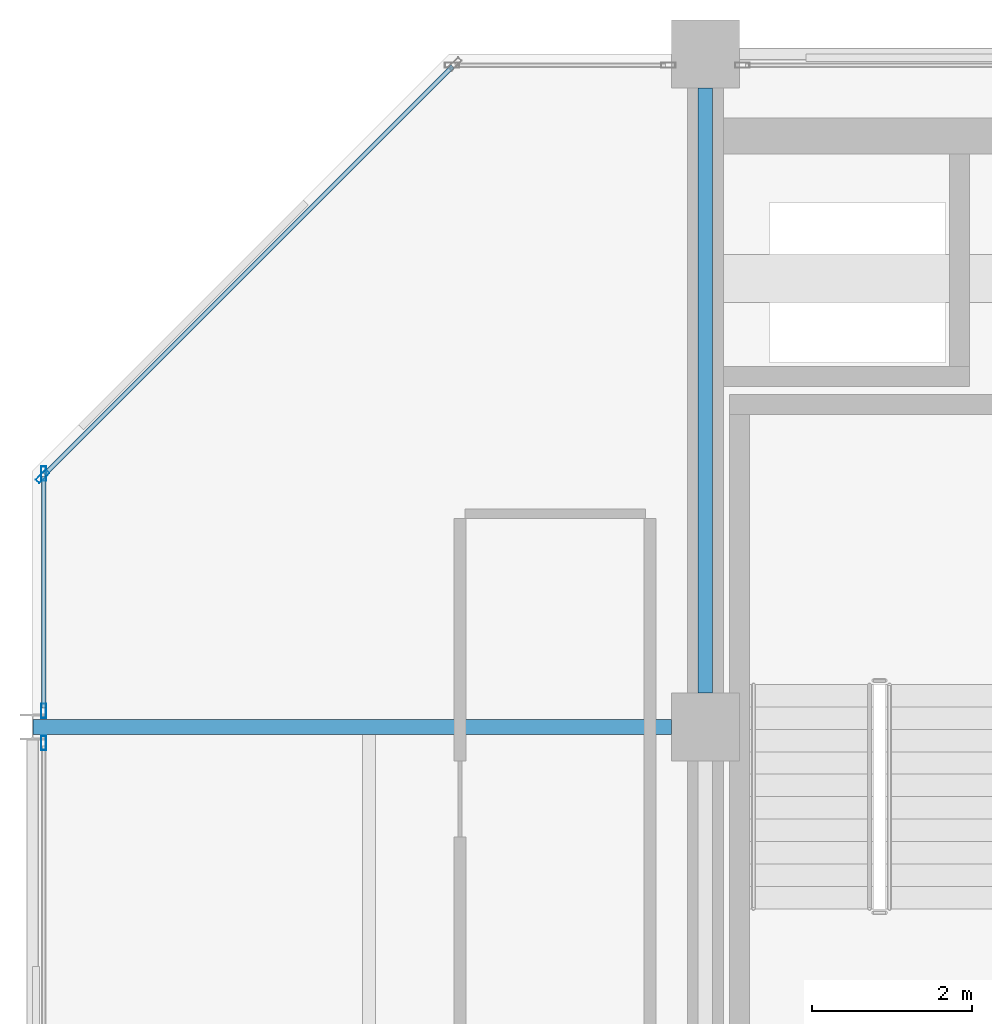
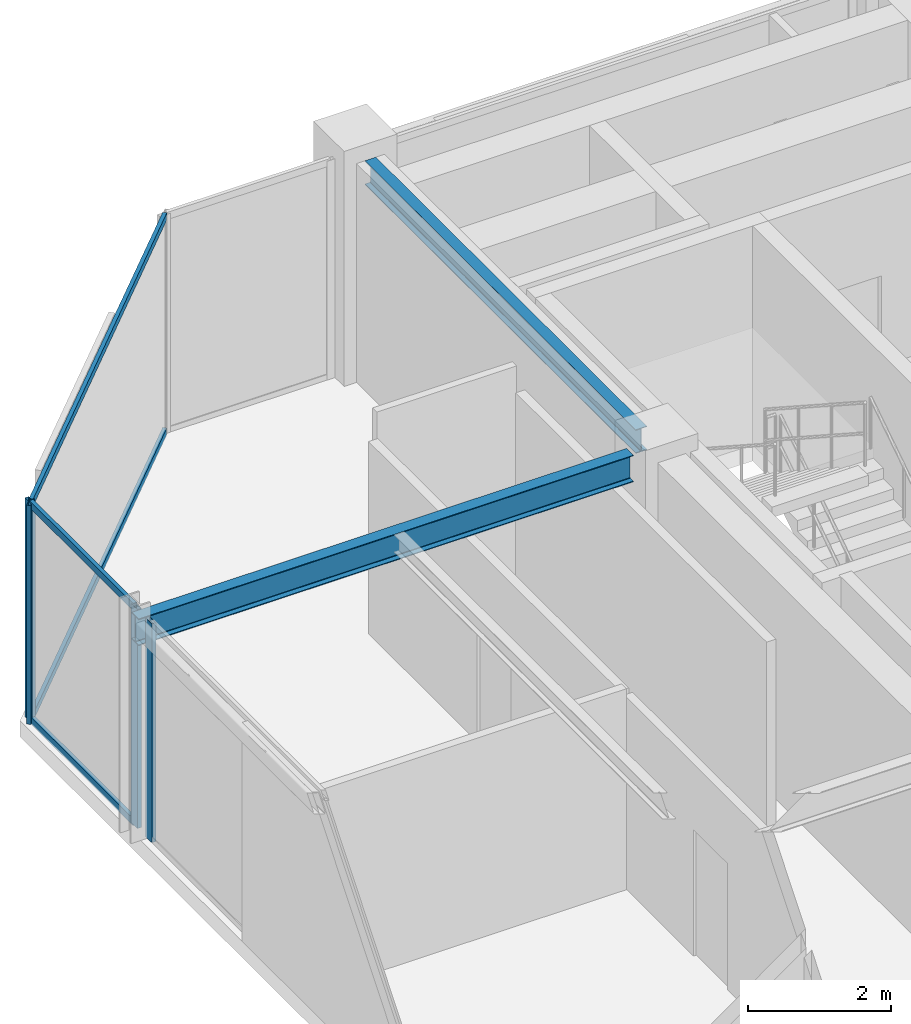
# One storey, part 16 of 24: 8 members, 2 beams, 3 elements without a shape of their own.
"""IFC4 building model written with IfcOpenShell, lengths in metres."""

from ifc_helpers import new_model, si_unit, direction, frame, origin, origin_2d, place, context, subcontext, project, spatial, hollow_rectangle, i_section, extrude, material, layer, layer_set, material_profile, profile_set, type_object, element, aggregate, save


model = new_model("IFC4")

# Units and contexts
model_context = context("Model", 3, precision=1e-05, world=origin(), true_north=direction((0.0, 1.0)))
body_context = subcontext(model_context, "Body", "Model", "MODEL_VIEW")
ifc_project = project(units=[si_unit("LENGTHUNIT", "METRE"), si_unit("AREAUNIT", "SQUARE_METRE"), si_unit("VOLUMEUNIT", "CUBIC_METRE"), si_unit("PLANEANGLEUNIT", "RADIAN"), si_unit("MASSUNIT", "GRAM", prefix="KILO")], contexts=[model_context])

# Site, building, storey
site_placement = place(None, origin())
site = spatial("IfcSite", under=ifc_project, at=site_placement, CompositionType="ELEMENT")
building_placement = place(site_placement, origin())
building = spatial("IfcBuilding", under=site, at=building_placement, Name="Nerrivon Quay Data Exchange", CompositionType="ELEMENT")
storey_placement = place(building_placement, frame((0.0, 0.0, 306.199951171875)))
storey = spatial("IfcBuildingStorey", under=building, at=storey_placement, Name="L73", CompositionType="ELEMENT", Elevation=306.199951171875)

# Beams
ifc_material_1 = material(Name="Steel Grade 350", Category="steel")
ifc_material_profile_1 = material_profile(ifc_material_1, i_section(OverallWidth=0.18994140625, OverallDepth=0.4541015625, WebThickness=0.008544921875, FlangeThickness=0.0126953125, FilletRadius=0.011474609375, at=origin_2d()), Name="460UB67.1")
ifc_profile_set_1 = profile_set([ifc_material_profile_1], Name="Steel Grade 350")
beam_type_1 = type_object("IfcBeamType", Name="BM-G6-460UB67", PredefinedType="BEAM", material=ifc_profile_set_1)
beam_1_placement = place(storey_placement, frame((0.0078125, 33.60009765625, 3.498046875), z_axis=(1.0, 0.0, 0.0), x_axis=(0.0, 1.0, 0.0)))
element("IfcBeam", 1, at=beam_1_placement, inside=storey, type_object=beam_type_1, Name="L73 EW Girder Y=33.6 (0.0..8.4)", PredefinedType="BEAM", context=body_context, shape_type="SweptSolid", body=[
    extrude(i_section(OverallWidth=0.18994140625, OverallDepth=0.4541015625, WebThickness=0.008544921875, FlangeThickness=0.0126953125, FilletRadius=0.011474609375, at=origin_2d()), origin(), (0.0, 0.0, 1.0), 7.96728515625),
])
ifc_material_profile_2 = material_profile(ifc_material_1, i_section(OverallWidth=0.177978515625, OverallDepth=0.406005859375, WebThickness=0.0078125, FlangeThickness=0.0126953125, FilletRadius=0.011474609375, at=origin_2d()), Name="410UB59.7")
ifc_profile_set_2 = profile_set([ifc_material_profile_2], Name="Steel Grade 350")
beam_type_2 = type_object("IfcBeamType", Name="BM-J1-410UB60", PredefinedType="JOIST", material=ifc_profile_set_2)
beam_2_placement = place(storey_placement, frame((8.39990234375, 34.02490234375, 3.52197265625), z_axis=(0.0, 1.0, 0.0), x_axis=(-1.0, 0.0, 0.0)))
element("IfcBeam", 2, at=beam_2_placement, inside=storey, type_object=beam_type_2, Name="L73 NS Girder X=8.4 (33.6..42.0)", PredefinedType="JOIST", context=body_context, shape_type="SweptSolid", body=[
    extrude(i_section(OverallWidth=0.177978515625, OverallDepth=0.406005859375, WebThickness=0.0078125, FlangeThickness=0.0126953125, FilletRadius=0.011474609375, at=origin_2d()), origin(), (0.0, 0.0, 1.0), 7.550048828125),
])

# Curtain wall, member
ifc_material_2 = material(Name="Anodised aluminium 6063-T6", Category="aluminium")
ifc_layer = layer(ifc_material_2, 0.195068359375)
ifc_layer_set = layer_set([ifc_layer], Name="Anodised aluminium 6063-T6")
curtain_wall_type = type_object("IfcCurtainWallType", Name="CW-SYS-06", PredefinedType="NOTDEFINED", material=ifc_layer_set)
curtain_wall_1_placement = place(storey_placement, origin())
curtain_wall_1 = element("IfcCurtainWall", 3, at=curtain_wall_1_placement, inside=storey, type_object=curtain_wall_type, Name="L73 Unitised Curtain Wall 11", PredefinedType="NOTDEFINED")
ifc_material_profile_3 = material_profile(ifc_material_2, hollow_rectangle(XDim=0.06494140625, YDim=0.179931640625, WallThickness=0.00341796875, at=origin_2d()), Name="ALU-MULL-180x65")
ifc_profile_set_3 = profile_set([ifc_material_profile_3], Name="Anodised aluminium 6063-T6")
member_type_1 = type_object("IfcMemberType", Name="CWM-180x65", PredefinedType="MULLION", material=ifc_profile_set_3)
member_1_placement = place(storey_placement, frame((0.139892578125, 33.39892578125, 0.0), z_axis=(0.0, 0.0, 1.0), x_axis=(-1.0, 0.0, 0.0)))
member_1 = element("IfcMember", 4, at=member_1_placement, type_object=member_type_1, Name="CW06 mullion 2", PredefinedType="MULLION", context=body_context, shape_type="SweptSolid", body=[
    extrude(hollow_rectangle(XDim=0.06494140625, YDim=0.179931640625, WallThickness=0.00341796875, at=origin_2d()), origin(), (0.0, 0.0, 1.0), 3.72509765625),
])
aggregate(curtain_wall_1, [member_1])

# Curtain wall, members
curtain_wall_2_placement = place(storey_placement, origin())
curtain_wall_2 = element("IfcCurtainWall", 5, at=curtain_wall_2_placement, inside=storey, type_object=curtain_wall_type, Name="L73 Unitised Curtain Wall 12", PredefinedType="NOTDEFINED")
member_2_placement = place(storey_placement, frame((0.139892578125, 33.801025390625, 0.0), z_axis=(0.0, 0.0, 1.0), x_axis=(-1.0, 0.0, 0.0)))
member_2 = element("IfcMember", 6, at=member_2_placement, type_object=member_type_1, Name="CW06 mullion 1", PredefinedType="MULLION", context=body_context, shape_type="SweptSolid", body=[
    extrude(hollow_rectangle(XDim=0.06494140625, YDim=0.179931640625, WallThickness=0.00341796875, at=origin_2d()), origin(), (0.0, 0.0, 1.0), 3.72509765625),
])
member_3_placement = place(storey_placement, frame((0.139892578125, 36.762451171875, 0.0), z_axis=(0.0, 0.0, 1.0), x_axis=(-1.0, 0.0, 0.0)))
member_3 = element("IfcMember", 7, at=member_3_placement, type_object=member_type_1, Name="CW06 mullion 2", PredefinedType="MULLION", context=body_context, shape_type="SweptSolid", body=[
    extrude(hollow_rectangle(XDim=0.06494140625, YDim=0.179931640625, WallThickness=0.00341796875, at=origin_2d()), origin(), (0.0, 0.0, 1.0), 3.72509765625),
])

# Curtain wall, member
curtain_wall_3_placement = place(storey_placement, origin())
curtain_wall_3 = element("IfcCurtainWall", 8, at=curtain_wall_3_placement, inside=storey, type_object=curtain_wall_type, Name="L73 Unitised Curtain Wall 13", PredefinedType="NOTDEFINED")
member_4_placement = place(storey_placement, frame((0.12548828125, 36.7275390625, 0.0), z_axis=(0.0, 0.0, 1.0), x_axis=(-0.707106781187, 0.707106781187, 0.0)))
member_4 = element("IfcMember", 9, at=member_4_placement, type_object=member_type_1, Name="CW06 mullion 1", PredefinedType="MULLION", context=body_context, shape_type="SweptSolid", body=[
    extrude(hollow_rectangle(XDim=0.06494140625, YDim=0.179931640625, WallThickness=0.00341796875, at=origin_2d()), origin(), (0.0, 0.0, 1.0), 3.72509765625),
])

# Member
ifc_material_profile_4 = material_profile(ifc_material_2, hollow_rectangle(XDim=0.06005859375, YDim=0.1201171875, WallThickness=0.003173828125, at=origin_2d()), Name="ALU-TRAN-120x60")
ifc_profile_set_4 = profile_set([ifc_material_profile_4], Name="Anodised aluminium 6063-T6")
member_type_2 = type_object("IfcMemberType", Name="CWT-120x60", PredefinedType="USERDEFINED", material=ifc_profile_set_4)
member_5_placement = place(storey_placement, frame((0.139892578125, 33.83837890625, 0.032470703125), z_axis=(0.0, 1.0, 0.0), x_axis=(-1.0, 0.0, 0.0)))
member_5 = element("IfcMember", 10, at=member_5_placement, type_object=member_type_2, Name="CW06 transom 1.1", ObjectType="TRANSOM", PredefinedType="USERDEFINED", context=body_context, shape_type="SweptSolid", body=[
    extrude(hollow_rectangle(XDim=0.06005859375, YDim=0.1201171875, WallThickness=0.003173828125, at=origin_2d()), origin(), (0.0, 0.0, 1.0), 2.88671875),
])

member_6_placement = place(storey_placement, frame((0.139892578125, 33.83837890625, 3.692626953125), z_axis=(0.0, 1.0, 0.0), x_axis=(-1.0, 0.0, 0.0)))
member_6 = element("IfcMember", 11, at=member_6_placement, type_object=member_type_2, Name="CW06 transom 1.2", ObjectType="TRANSOM", PredefinedType="USERDEFINED", context=body_context, shape_type="SweptSolid", body=[
    extrude(hollow_rectangle(XDim=0.06005859375, YDim=0.1201171875, WallThickness=0.003173828125, at=origin_2d()), origin(), (0.0, 0.0, 1.0), 2.88671875),
])

aggregate(curtain_wall_2, [member_2, member_3, member_5, member_6])

member_7_placement = place(storey_placement, frame((0.152099609375, 36.754150390625, 0.032470703125), z_axis=(0.707106781187, 0.707106781187, 0.0), x_axis=(-0.707106781187, 0.707106781187, 0.0)))
member_7 = element("IfcMember", 12, at=member_7_placement, type_object=member_type_2, Name="CW06 transom 1.1", ObjectType="TRANSOM", PredefinedType="USERDEFINED", context=body_context, shape_type="SweptSolid", body=[
    extrude(hollow_rectangle(XDim=0.06005859375, YDim=0.1201171875, WallThickness=0.003173828125, at=origin_2d()), origin(), (0.0, 0.0, 1.0), 7.20361328125),
])

member_8_placement = place(storey_placement, frame((0.152099609375, 36.754150390625, 3.692626953125), z_axis=(0.707106781187, 0.707106781187, 0.0), x_axis=(-0.707106781187, 0.707106781187, 0.0)))
member_8 = element("IfcMember", 13, at=member_8_placement, type_object=member_type_2, Name="CW06 transom 1.2", ObjectType="TRANSOM", PredefinedType="USERDEFINED", context=body_context, shape_type="SweptSolid", body=[
    extrude(hollow_rectangle(XDim=0.06005859375, YDim=0.1201171875, WallThickness=0.003173828125, at=origin_2d()), origin(), (0.0, 0.0, 1.0), 7.20361328125),
])

aggregate(curtain_wall_3, [member_4, member_7, member_8])

save(model, "model.ifc")
